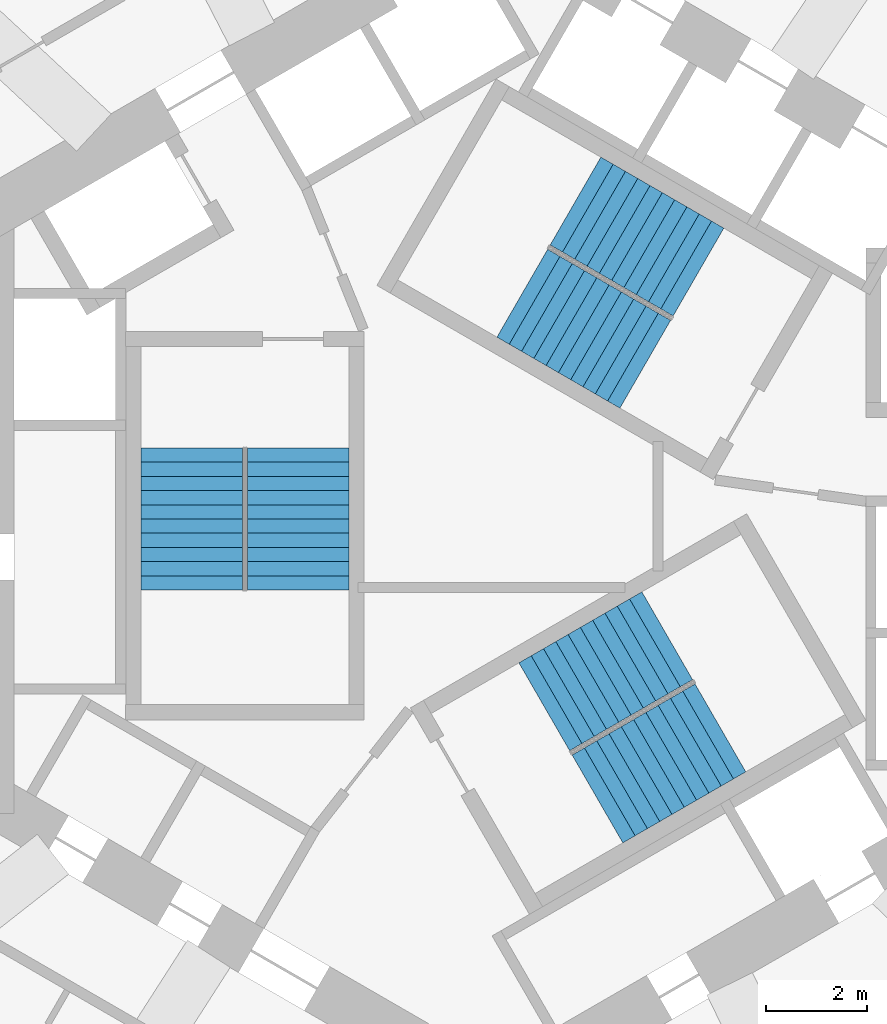
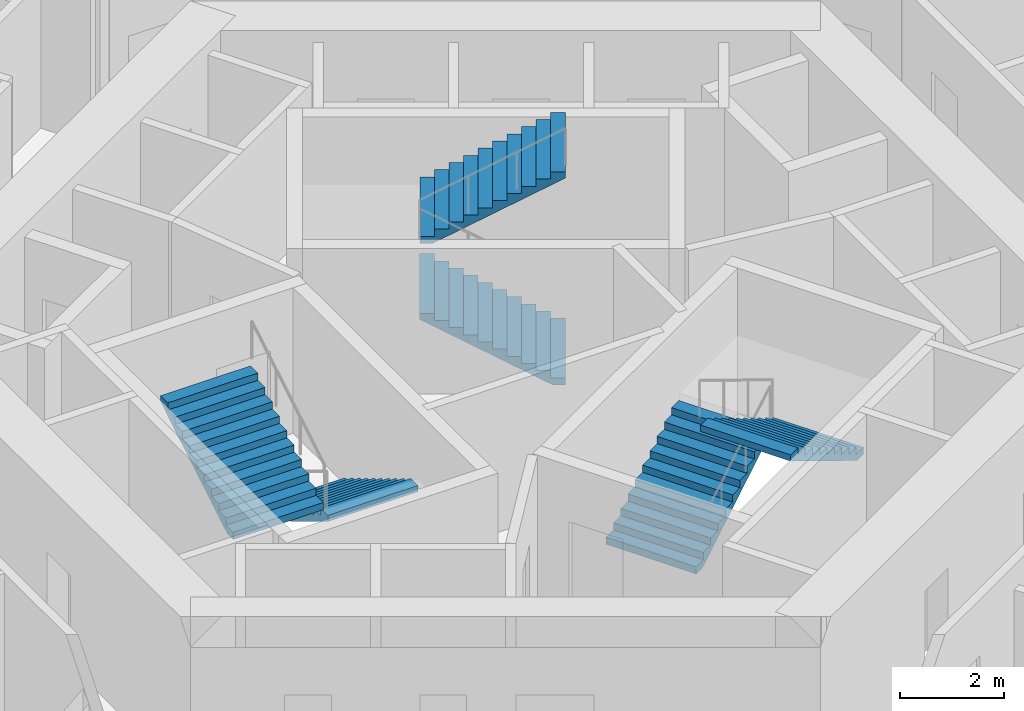
# One storey, part 9 of 11: 6 stair flights, 3 elements without a shape of their own.
"""IFC4 building model written with IfcOpenShell, lengths in metres."""

from ifc_helpers import new_model, si_unit, direction, frame, origin, place, context, subcontext, project, spatial, triangles, source, transform, mapped, material, type_object, element, aggregate, save


model = new_model("IFC4")

# Units and contexts
model_context = context("Model", 3, precision=1e-05, world=origin(), true_north=direction((0.0, 1.0)))
body_context = subcontext(model_context, "Body", "Model", "MODEL_VIEW")
ifc_project = project(units=[si_unit("LENGTHUNIT", "METRE"), si_unit("AREAUNIT", "SQUARE_METRE"), si_unit("VOLUMEUNIT", "CUBIC_METRE"), si_unit("PLANEANGLEUNIT", "RADIAN"), si_unit("MASSUNIT", "GRAM", prefix="KILO")], contexts=[model_context])

# Site, building, storey
site_placement = place(None, origin())
site = spatial("IfcSite", under=ifc_project, at=site_placement, CompositionType="ELEMENT")
building_placement = place(site_placement, origin())
building = spatial("IfcBuilding", under=site, at=building_placement, Name="Vanh Sen Convention Tower", CompositionType="ELEMENT")
storey_placement = place(building_placement, frame((0.0, 0.0, 131.800048828125)))
storey = spatial("IfcBuildingStorey", under=building, at=storey_placement, Name="L32", CompositionType="ELEMENT", Elevation=131.800048828125)

# Stair, stair flights
ifc_material_1 = material(Name="Concrete C50/60", Category="concrete")
stair_type_1 = type_object("IfcStairType", Name="Exit stair ST1 22 risers at 168.2", PredefinedType="HALF_TURN_STAIR", material=ifc_material_1)
stair_1_placement = place(storey_placement, origin())
stair_1 = element("IfcStair", 1, at=stair_1_placement, inside=storey, type_object=stair_type_1, Name="Exit stair ST1 L32", PredefinedType="HALF_TURN_STAIR")
ifc_material_2 = material(Name="Concrete C40/50", Category="concrete")
stair_flight_type = type_object("IfcStairFlightType", Name="Stair flight 2000", PredefinedType="STRAIGHT", material=ifc_material_2)
shared_shape = source(origin(), body_context, "Body", "Tessellation", [
    triangles([(0.24267578125, 1.0, 0.0), (0.0, 1.0, 0.0), (0.0, 1.0, 0.168212890625), (0.280029296875, 1.0, 0.168212890625), (0.280029296875, 1.0, 0.33642578125), (0.56005859375, 1.0, 0.33642578125), (0.56005859375, 1.0, 0.504638671875), (0.840087890625, 1.0, 0.504638671875), (0.840087890625, 1.0, 0.672607421875), (1.1201171875, 1.0, 0.672607421875), (1.1201171875, 1.0, 0.8408203125), (1.39990234375, 1.0, 0.8408203125), (1.39990234375, 1.0, 1.009033203125), (1.679931640625, 1.0, 1.009033203125), (1.679931640625, 1.0, 1.17724609375), (1.9599609375, 1.0, 1.17724609375), (1.9599609375, 1.0, 1.345458984375), (2.239990234375, 1.0, 1.345458984375), (2.239990234375, 1.0, 1.513671875), (2.52001953125, 1.0, 1.513671875), (2.52001953125, 1.0, 1.681884765625), (2.800048828125, 1.0, 1.681884765625), (2.800048828125, 1.0, 1.535888671875), (0.24267578125, -1.0, 0.0), (0.0, -1.0, 0.0), (0.0, -1.0, 0.168212890625), (0.280029296875, -1.0, 0.168212890625), (0.280029296875, -1.0, 0.33642578125), (0.56005859375, -1.0, 0.33642578125), (0.56005859375, -1.0, 0.504638671875), (0.840087890625, -1.0, 0.504638671875), (0.840087890625, -1.0, 0.672607421875), (1.1201171875, -1.0, 0.672607421875), (1.1201171875, -1.0, 0.8408203125), (1.39990234375, -1.0, 0.8408203125), (1.39990234375, -1.0, 1.009033203125), (1.679931640625, -1.0, 1.009033203125), (1.679931640625, -1.0, 1.17724609375), (1.9599609375, -1.0, 1.17724609375), (1.9599609375, -1.0, 1.345458984375), (2.239990234375, -1.0, 1.345458984375), (2.239990234375, -1.0, 1.513671875), (2.52001953125, -1.0, 1.513671875), (2.52001953125, -1.0, 1.681884765625), (2.800048828125, -1.0, 1.681884765625), (2.800048828125, -1.0, 1.535888671875), (0.0, 0.0400390625, 0.0), (0.0, 0.0390625, 0.0), (0.0, 0.0380859375, 0.0), (0.0, 0.037109375, 0.0), (0.0, 0.035888671875, 0.0), (0.0, 0.034912109375, 0.0), (0.0, 0.033935546875, 0.0), (0.0, 0.032958984375, 0.0), (0.0, 0.031982421875, 0.0), (0.0, 0.031005859375, 0.0), (0.0, 0.030029296875, 0.0), (0.0, 0.029052734375, 0.0), (0.0, 0.028076171875, 0.0), (0.0, 0.027099609375, 0.0), (0.0, 0.02587890625, 0.0), (0.0, 0.02490234375, 0.0), (0.0, 0.02392578125, 0.0), (0.0, 0.02294921875, 0.0), (0.0, 0.02197265625, 0.0), (0.0, 0.02099609375, 0.0), (0.0, 0.02001953125, 0.0), (0.0, 0.01904296875, 0.0), (0.0, 0.01806640625, 0.0), (0.0, 0.01708984375, 0.0), (0.0, 0.01611328125, 0.0), (0.0, 0.014892578125, 0.0), (0.0, 0.013916015625, 0.0), (0.0, 0.012939453125, 0.0), (0.0, 0.011962890625, 0.0), (0.0, 0.010986328125, 0.0), (0.0, 0.010009765625, 0.0), (0.0, 0.009033203125, 0.0), (0.0, 0.008056640625, 0.0), (0.0, 0.007080078125, 0.0), (0.0, 0.006103515625, 0.0), (0.0, 0.0048828125, 0.0), (0.0, 0.00390625, 0.0), (0.0, 0.0029296875, 0.0), (0.0, 0.001953125, 0.0), (0.0, 0.0009765625, 0.0), (0.0, 0.0, 0.0), (0.0, -0.0009765625, 0.0), (0.0, -0.001953125, 0.0), (0.0, -0.0029296875, 0.0), (0.0, -0.00390625, 0.0), (0.0, -0.0048828125, 0.0), (0.0, -0.006103515625, 0.0), (0.0, -0.007080078125, 0.0), (0.0, -0.008056640625, 0.0), (0.0, -0.009033203125, 0.0), (0.0, -0.010009765625, 0.0), (0.0, -0.010986328125, 0.0), (0.0, -0.011962890625, 0.0), (0.0, -0.012939453125, 0.0), (0.0, -0.013916015625, 0.0), (0.0, -0.014892578125, 0.0), (0.0, -0.01611328125, 0.0), (0.0, -0.01708984375, 0.0), (0.0, -0.01806640625, 0.0), (0.0, -0.01904296875, 0.0), (0.0, -0.02001953125, 0.0), (0.0, -0.02099609375, 0.0), (0.0, -0.02197265625, 0.0), (0.0, -0.02294921875, 0.0), (0.0, -0.02392578125, 0.0), (0.0, -0.02490234375, 0.0), (0.0, -0.02587890625, 0.0), (0.0, -0.027099609375, 0.0), (0.0, -0.028076171875, 0.0), (0.0, -0.029052734375, 0.0), (0.0, -0.030029296875, 0.0), (0.0, -0.031005859375, 0.0), (0.0, -0.031982421875, 0.0), (0.0, -0.032958984375, 0.0), (0.0, -0.033935546875, 0.0), (0.0, -0.034912109375, 0.0), (0.0, -0.035888671875, 0.0), (0.0, -0.037109375, 0.0), (0.0, -0.0380859375, 0.0), (0.0, -0.0390625, 0.0), (0.0, -0.0400390625, 0.0), (0.0, 0.0400390625, 0.168212890625), (0.0, 0.0390625, 0.168212890625), (0.0, 0.0380859375, 0.168212890625), (0.0, 0.037109375, 0.168212890625), (0.0, 0.035888671875, 0.168212890625), (0.0, 0.034912109375, 0.168212890625), (0.0, 0.033935546875, 0.168212890625), (0.0, 0.032958984375, 0.168212890625), (0.0, 0.031982421875, 0.168212890625), (0.0, 0.031005859375, 0.168212890625), (0.0, 0.030029296875, 0.168212890625), (0.0, 0.029052734375, 0.168212890625), (0.0, 0.028076171875, 0.168212890625), (0.0, 0.027099609375, 0.168212890625), (0.0, 0.02587890625, 0.168212890625), (0.0, 0.02490234375, 0.168212890625), (0.0, 0.02392578125, 0.168212890625), (0.0, 0.02294921875, 0.168212890625), (0.0, 0.02197265625, 0.168212890625), (0.0, 0.02099609375, 0.168212890625), (0.0, 0.02001953125, 0.168212890625), (0.0, 0.01904296875, 0.168212890625), (0.0, 0.01806640625, 0.168212890625), (0.0, 0.01708984375, 0.168212890625), (0.0, 0.01611328125, 0.168212890625), (0.0, 0.014892578125, 0.168212890625), (0.0, 0.013916015625, 0.168212890625), (0.0, 0.012939453125, 0.168212890625), (0.0, 0.011962890625, 0.168212890625), (0.0, 0.010986328125, 0.168212890625), (0.0, 0.010009765625, 0.168212890625), (0.0, 0.009033203125, 0.168212890625), (0.0, 0.008056640625, 0.168212890625), (0.0, 0.007080078125, 0.168212890625), (0.0, 0.006103515625, 0.168212890625), (0.0, 0.0048828125, 0.168212890625), (0.0, 0.00390625, 0.168212890625), (0.0, 0.0029296875, 0.168212890625), (0.0, 0.001953125, 0.168212890625), (0.0, 0.0009765625, 0.168212890625), (0.0, 0.0, 0.168212890625), (0.0, -0.0009765625, 0.168212890625), (0.0, -0.001953125, 0.168212890625), (0.0, -0.0029296875, 0.168212890625), (0.0, -0.00390625, 0.168212890625), (0.0, -0.0048828125, 0.168212890625), (0.0, -0.006103515625, 0.168212890625), (0.0, -0.007080078125, 0.168212890625), (0.0, -0.008056640625, 0.168212890625), (0.0, -0.009033203125, 0.168212890625), (0.0, -0.010009765625, 0.168212890625), (0.0, -0.010986328125, 0.168212890625), (0.0, -0.011962890625, 0.168212890625), (0.0, -0.012939453125, 0.168212890625), (0.0, -0.013916015625, 0.168212890625), (0.0, -0.014892578125, 0.168212890625), (0.0, -0.01611328125, 0.168212890625), (0.0, -0.01708984375, 0.168212890625), (0.0, -0.01806640625, 0.168212890625), (0.0, -0.01904296875, 0.168212890625), (0.0, -0.02001953125, 0.168212890625), (0.0, -0.02099609375, 0.168212890625), (0.0, -0.02197265625, 0.168212890625), (0.0, -0.02294921875, 0.168212890625), (0.0, -0.02392578125, 0.168212890625), (0.0, -0.02490234375, 0.168212890625), (0.0, -0.02587890625, 0.168212890625), (0.0, -0.027099609375, 0.168212890625), (0.0, -0.028076171875, 0.168212890625), (0.0, -0.029052734375, 0.168212890625), (0.0, -0.030029296875, 0.168212890625), (0.0, -0.031005859375, 0.168212890625), (0.0, -0.031982421875, 0.168212890625), (0.0, -0.032958984375, 0.168212890625), (0.0, -0.033935546875, 0.168212890625), (0.0, -0.034912109375, 0.168212890625), (0.0, -0.035888671875, 0.168212890625), (0.0, -0.037109375, 0.168212890625), (0.0, -0.0380859375, 0.168212890625), (0.0, -0.0390625, 0.168212890625), (0.0, -0.0400390625, 0.168212890625), (0.280029296875, 0.0, 0.168212890625), (0.280029296875, 0.0, 0.33642578125), (0.56005859375, 0.0, 0.33642578125), (0.56005859375, 0.0, 0.504638671875), (0.840087890625, 0.0, 0.504638671875), (0.840087890625, 0.0, 0.672607421875), (1.1201171875, 0.0, 0.672607421875), (1.1201171875, 0.0, 0.8408203125), (1.39990234375, 0.0, 0.8408203125), (1.39990234375, 0.0, 1.009033203125), (1.679931640625, 0.0, 1.009033203125), (1.679931640625, 0.0, 1.17724609375), (1.9599609375, 0.0, 1.17724609375), (1.9599609375, 0.0, 1.345458984375), (2.239990234375, 0.0, 1.345458984375), (2.239990234375, 0.0, 1.513671875), (2.52001953125, 0.0, 1.513671875), (2.52001953125, 0.0, 1.681884765625), (2.800048828125, 0.0400390625, 1.681884765625), (2.800048828125, 0.0390625, 1.681884765625), (2.800048828125, 0.0380859375, 1.681884765625), (2.800048828125, 0.037109375, 1.681884765625), (2.800048828125, 0.035888671875, 1.681884765625), (2.800048828125, 0.034912109375, 1.681884765625), (2.800048828125, 0.033935546875, 1.681884765625), (2.800048828125, 0.032958984375, 1.681884765625), (2.800048828125, 0.031982421875, 1.681884765625), (2.800048828125, 0.031005859375, 1.681884765625), (2.800048828125, 0.030029296875, 1.681884765625), (2.800048828125, 0.029052734375, 1.681884765625), (2.800048828125, 0.028076171875, 1.681884765625), (2.800048828125, 0.027099609375, 1.681884765625), (2.800048828125, 0.02587890625, 1.681884765625), (2.800048828125, 0.02490234375, 1.681884765625), (2.800048828125, 0.02392578125, 1.681884765625), (2.800048828125, 0.02294921875, 1.681884765625), (2.800048828125, 0.02197265625, 1.681884765625), (2.800048828125, 0.02099609375, 1.681884765625), (2.800048828125, 0.02001953125, 1.681884765625), (2.800048828125, 0.01904296875, 1.681884765625), (2.800048828125, 0.01806640625, 1.681884765625), (2.800048828125, 0.01708984375, 1.681884765625), (2.800048828125, 0.01611328125, 1.681884765625), (2.800048828125, 0.014892578125, 1.681884765625), (2.800048828125, 0.013916015625, 1.681884765625), (2.800048828125, 0.012939453125, 1.681884765625), (2.800048828125, 0.011962890625, 1.681884765625), (2.800048828125, 0.010986328125, 1.681884765625), (2.800048828125, 0.010009765625, 1.681884765625), (2.800048828125, 0.009033203125, 1.681884765625), (2.800048828125, 0.008056640625, 1.681884765625), (2.800048828125, 0.007080078125, 1.681884765625), (2.800048828125, 0.006103515625, 1.681884765625), (2.800048828125, 0.0048828125, 1.681884765625), (2.800048828125, 0.00390625, 1.681884765625), (2.800048828125, 0.0029296875, 1.681884765625), (2.800048828125, 0.001953125, 1.681884765625), (2.800048828125, 0.0009765625, 1.681884765625), (2.800048828125, 0.0, 1.681884765625), (2.800048828125, -0.0009765625, 1.681884765625), (2.800048828125, -0.001953125, 1.681884765625), (2.800048828125, -0.0029296875, 1.681884765625), (2.800048828125, -0.00390625, 1.681884765625), (2.800048828125, -0.0048828125, 1.681884765625), (2.800048828125, -0.006103515625, 1.681884765625), (2.800048828125, -0.007080078125, 1.681884765625), (2.800048828125, -0.008056640625, 1.681884765625), (2.800048828125, -0.009033203125, 1.681884765625), (2.800048828125, -0.010009765625, 1.681884765625), (2.800048828125, -0.010986328125, 1.681884765625), (2.800048828125, -0.011962890625, 1.681884765625), (2.800048828125, -0.012939453125, 1.681884765625), (2.800048828125, -0.013916015625, 1.681884765625), (2.800048828125, -0.014892578125, 1.681884765625), (2.800048828125, -0.01611328125, 1.681884765625), (2.800048828125, -0.01708984375, 1.681884765625), (2.800048828125, -0.01806640625, 1.681884765625), (2.800048828125, -0.01904296875, 1.681884765625), (2.800048828125, -0.02001953125, 1.681884765625), (2.800048828125, -0.02099609375, 1.681884765625), (2.800048828125, -0.02197265625, 1.681884765625), (2.800048828125, -0.02294921875, 1.681884765625), (2.800048828125, -0.02392578125, 1.681884765625), (2.800048828125, -0.02490234375, 1.681884765625), (2.800048828125, -0.02587890625, 1.681884765625), (2.800048828125, -0.027099609375, 1.681884765625), (2.800048828125, -0.028076171875, 1.681884765625), (2.800048828125, -0.029052734375, 1.681884765625), (2.800048828125, -0.030029296875, 1.681884765625), (2.800048828125, -0.031005859375, 1.681884765625), (2.800048828125, -0.031982421875, 1.681884765625), (2.800048828125, -0.032958984375, 1.681884765625), (2.800048828125, -0.033935546875, 1.681884765625), (2.800048828125, -0.034912109375, 1.681884765625), (2.800048828125, -0.035888671875, 1.681884765625), (2.800048828125, -0.037109375, 1.681884765625), (2.800048828125, -0.0380859375, 1.681884765625), (2.800048828125, -0.0390625, 1.681884765625), (2.800048828125, -0.0400390625, 1.681884765625), (2.800048828125, 0.0400390625, 1.535888671875), (2.800048828125, 0.0390625, 1.535888671875), (2.800048828125, 0.0380859375, 1.535888671875), (2.800048828125, 0.037109375, 1.535888671875), (2.800048828125, 0.035888671875, 1.535888671875), (2.800048828125, 0.034912109375, 1.535888671875), (2.800048828125, 0.033935546875, 1.535888671875), (2.800048828125, 0.032958984375, 1.535888671875), (2.800048828125, 0.031982421875, 1.535888671875), (2.800048828125, 0.031005859375, 1.535888671875), (2.800048828125, 0.030029296875, 1.535888671875), (2.800048828125, 0.029052734375, 1.535888671875), (2.800048828125, 0.028076171875, 1.535888671875), (2.800048828125, 0.027099609375, 1.535888671875), (2.800048828125, 0.02587890625, 1.535888671875), (2.800048828125, 0.02490234375, 1.535888671875), (2.800048828125, 0.02392578125, 1.535888671875), (2.800048828125, 0.02294921875, 1.535888671875), (2.800048828125, 0.02197265625, 1.535888671875), (2.800048828125, 0.02099609375, 1.535888671875), (2.800048828125, 0.02001953125, 1.535888671875), (2.800048828125, 0.01904296875, 1.535888671875), (2.800048828125, 0.01806640625, 1.535888671875), (2.800048828125, 0.01708984375, 1.535888671875), (2.800048828125, 0.01611328125, 1.535888671875), (2.800048828125, 0.014892578125, 1.535888671875), (2.800048828125, 0.013916015625, 1.535888671875), (2.800048828125, 0.012939453125, 1.535888671875), (2.800048828125, 0.011962890625, 1.535888671875), (2.800048828125, 0.010986328125, 1.535888671875), (2.800048828125, 0.010009765625, 1.535888671875), (2.800048828125, 0.009033203125, 1.535888671875), (2.800048828125, 0.008056640625, 1.535888671875), (2.800048828125, 0.007080078125, 1.535888671875), (2.800048828125, 0.006103515625, 1.535888671875), (2.800048828125, 0.0048828125, 1.535888671875), (2.800048828125, 0.00390625, 1.535888671875), (2.800048828125, 0.0029296875, 1.535888671875), (2.800048828125, 0.001953125, 1.535888671875), (2.800048828125, 0.0009765625, 1.535888671875), (2.800048828125, 0.0, 1.535888671875), (2.800048828125, -0.0009765625, 1.535888671875), (2.800048828125, -0.001953125, 1.535888671875), (2.800048828125, -0.0029296875, 1.535888671875), (2.800048828125, -0.00390625, 1.535888671875), (2.800048828125, -0.0048828125, 1.535888671875), (2.800048828125, -0.006103515625, 1.535888671875), (2.800048828125, -0.007080078125, 1.535888671875), (2.800048828125, -0.008056640625, 1.535888671875), (2.800048828125, -0.009033203125, 1.535888671875), (2.800048828125, -0.010009765625, 1.535888671875), (2.800048828125, -0.010986328125, 1.535888671875), (2.800048828125, -0.011962890625, 1.535888671875), (2.800048828125, -0.012939453125, 1.535888671875), (2.800048828125, -0.013916015625, 1.535888671875), (2.800048828125, -0.014892578125, 1.535888671875), (2.800048828125, -0.01611328125, 1.535888671875), (2.800048828125, -0.01708984375, 1.535888671875), (2.800048828125, -0.01806640625, 1.535888671875), (2.800048828125, -0.01904296875, 1.535888671875), (2.800048828125, -0.02001953125, 1.535888671875), (2.800048828125, -0.02099609375, 1.535888671875), (2.800048828125, -0.02197265625, 1.535888671875), (2.800048828125, -0.02294921875, 1.535888671875), (2.800048828125, -0.02392578125, 1.535888671875), (2.800048828125, -0.02490234375, 1.535888671875), (2.800048828125, -0.02587890625, 1.535888671875), (2.800048828125, -0.027099609375, 1.535888671875), (2.800048828125, -0.028076171875, 1.535888671875), (2.800048828125, -0.029052734375, 1.535888671875), (2.800048828125, -0.030029296875, 1.535888671875), (2.800048828125, -0.031005859375, 1.535888671875), (2.800048828125, -0.031982421875, 1.535888671875), (2.800048828125, -0.032958984375, 1.535888671875), (2.800048828125, -0.033935546875, 1.535888671875), (2.800048828125, -0.034912109375, 1.535888671875), (2.800048828125, -0.035888671875, 1.535888671875), (2.800048828125, -0.037109375, 1.535888671875), (2.800048828125, -0.0380859375, 1.535888671875), (2.800048828125, -0.0390625, 1.535888671875), (2.800048828125, -0.0400390625, 1.535888671875), (0.24267578125, 0.0, 0.0)], [[1, 2, 3], [1, 3, 4], [4, 5, 6], [1, 4, 6], [6, 7, 8], [1, 6, 8], [8, 9, 10], [1, 8, 10], [10, 11, 12], [1, 10, 12], [12, 13, 14], [1, 12, 14], [14, 15, 16], [1, 14, 16], [16, 17, 18], [1, 16, 18], [18, 19, 20], [1, 18, 20], [20, 21, 22], [1, 20, 22], [22, 23, 1], [24, 26, 25], [24, 27, 26], [27, 29, 28], [24, 29, 27], [29, 31, 30], [24, 31, 29], [31, 33, 32], [24, 33, 31], [33, 35, 34], [24, 35, 33], [35, 37, 36], [24, 37, 35], [37, 39, 38], [24, 39, 37], [39, 41, 40], [24, 41, 39], [41, 43, 42], [24, 43, 41], [43, 45, 44], [24, 45, 43], [45, 24, 46], [2, 128, 3], [2, 47, 128], [47, 129, 128], [47, 48, 129], [48, 130, 129], [48, 49, 130], [49, 131, 130], [49, 50, 131], [50, 132, 131], [50, 51, 132], [51, 133, 132], [51, 52, 133], [52, 134, 133], [52, 53, 134], [53, 135, 134], [53, 54, 135], [54, 136, 135], [54, 55, 136], [55, 137, 136], [55, 56, 137], [56, 138, 137], [56, 57, 138], [57, 139, 138], [57, 58, 139], [58, 140, 139], [58, 59, 140], [59, 141, 140], [59, 60, 141], [60, 142, 141], [60, 61, 142], [61, 143, 142], [61, 62, 143], [62, 144, 143], [62, 63, 144], [63, 145, 144], [63, 64, 145], [64, 146, 145], [64, 65, 146], [65, 147, 146], [65, 66, 147], [66, 148, 147], [66, 67, 148], [67, 149, 148], [67, 68, 149], [68, 150, 149], [68, 69, 150], [69, 151, 150], [69, 70, 151], [70, 152, 151], [70, 71, 152], [71, 153, 152], [71, 72, 153], [72, 154, 153], [72, 73, 154], [73, 155, 154], [73, 74, 155], [74, 156, 155], [74, 75, 156], [75, 157, 156], [75, 76, 157], [76, 158, 157], [76, 77, 158], [77, 159, 158], [77, 78, 159], [78, 160, 159], [78, 79, 160], [79, 161, 160], [79, 80, 161], [80, 162, 161], [80, 81, 162], [81, 163, 162], [81, 82, 163], [82, 164, 163], [82, 83, 164], [83, 165, 164], [83, 84, 165], [84, 166, 165], [84, 85, 166], [85, 167, 166], [85, 86, 167], [86, 168, 167], [86, 87, 168], [87, 88, 168], [168, 88, 169], [88, 89, 169], [169, 89, 170], [89, 90, 170], [170, 90, 171], [90, 91, 171], [171, 91, 172], [91, 92, 172], [172, 92, 173], [92, 93, 173], [173, 93, 174], [93, 94, 174], [174, 94, 175], [94, 95, 175], [175, 95, 176], [95, 96, 176], [176, 96, 177], [96, 97, 177], [177, 97, 178], [97, 98, 178], [178, 98, 179], [98, 99, 179], [179, 99, 180], [99, 100, 180], [180, 100, 181], [100, 101, 181], [181, 101, 182], [101, 102, 182], [182, 102, 183], [102, 103, 183], [183, 103, 184], [103, 104, 184], [184, 104, 185], [104, 105, 185], [185, 105, 186], [105, 106, 186], [186, 106, 187], [106, 107, 187], [187, 107, 188], [107, 108, 188], [188, 108, 189], [108, 109, 189], [189, 109, 190], [109, 110, 190], [190, 110, 191], [110, 111, 191], [191, 111, 192], [111, 112, 192], [192, 112, 193], [112, 113, 193], [193, 113, 194], [113, 114, 194], [194, 114, 195], [114, 115, 195], [195, 115, 196], [115, 116, 196], [196, 116, 197], [116, 117, 197], [197, 117, 198], [117, 118, 198], [198, 118, 199], [118, 119, 199], [199, 119, 200], [119, 120, 200], [200, 120, 201], [120, 121, 201], [201, 121, 202], [121, 122, 202], [202, 122, 203], [122, 123, 203], [203, 123, 204], [123, 124, 204], [204, 124, 205], [124, 125, 205], [205, 125, 206], [125, 126, 206], [206, 126, 207], [126, 127, 207], [207, 127, 208], [127, 25, 208], [208, 25, 26], [4, 3, 128], [4, 128, 129], [4, 129, 130], [4, 130, 131], [4, 131, 132], [4, 132, 133], [4, 133, 134], [4, 134, 135], [4, 135, 136], [4, 136, 137], [4, 137, 138], [4, 138, 139], [4, 139, 140], [4, 140, 141], [4, 141, 142], [4, 142, 143], [4, 143, 144], [4, 144, 145], [4, 145, 146], [4, 146, 147], [4, 147, 148], [4, 148, 149], [4, 149, 150], [4, 150, 151], [4, 151, 152], [4, 152, 153], [4, 153, 154], [4, 154, 155], [4, 155, 156], [4, 156, 157], [4, 157, 158], [4, 158, 159], [4, 159, 160], [4, 160, 161], [4, 161, 162], [4, 162, 163], [4, 163, 164], [4, 164, 165], [4, 165, 166], [4, 166, 167], [4, 167, 168], [27, 168, 169], [27, 169, 170], [27, 170, 171], [27, 171, 172], [27, 172, 173], [27, 173, 174], [27, 174, 175], [27, 175, 176], [27, 176, 177], [27, 177, 178], [27, 178, 179], [27, 179, 180], [27, 180, 181], [27, 181, 182], [27, 182, 183], [27, 183, 184], [27, 184, 185], [27, 185, 186], [27, 186, 187], [27, 187, 188], [27, 188, 189], [27, 189, 190], [27, 190, 191], [27, 191, 192], [27, 192, 193], [27, 193, 194], [27, 194, 195], [27, 195, 196], [27, 196, 197], [27, 197, 198], [27, 198, 199], [27, 199, 200], [27, 200, 201], [27, 201, 202], [27, 202, 203], [27, 203, 204], [27, 204, 205], [27, 205, 206], [27, 206, 207], [27, 207, 208], [27, 208, 26], [4, 168, 209], [27, 209, 168], [4, 210, 5], [4, 209, 210], [209, 27, 210], [210, 27, 28], [5, 211, 6], [5, 210, 211], [210, 28, 211], [211, 28, 29], [6, 212, 7], [6, 211, 212], [211, 29, 212], [212, 29, 30], [7, 213, 8], [7, 212, 213], [212, 30, 213], [213, 30, 31], [8, 214, 9], [8, 213, 214], [213, 31, 214], [214, 31, 32], [9, 215, 10], [9, 214, 215], [214, 32, 215], [215, 32, 33], [10, 216, 11], [10, 215, 216], [215, 33, 216], [216, 33, 34], [11, 217, 12], [11, 216, 217], [216, 34, 217], [217, 34, 35], [12, 218, 13], [12, 217, 218], [217, 35, 218], [218, 35, 36], [13, 219, 14], [13, 218, 219], [218, 36, 219], [219, 36, 37], [14, 220, 15], [14, 219, 220], [219, 37, 220], [220, 37, 38], [15, 221, 16], [15, 220, 221], [220, 38, 221], [221, 38, 39], [16, 222, 17], [16, 221, 222], [221, 39, 222], [222, 39, 40], [17, 223, 18], [17, 222, 223], [222, 40, 223], [223, 40, 41], [18, 224, 19], [18, 223, 224], [223, 41, 224], [224, 41, 42], [19, 225, 20], [19, 224, 225], [224, 42, 225], [225, 42, 43], [20, 226, 21], [20, 225, 226], [225, 43, 226], [226, 43, 44], [21, 227, 22], [21, 228, 227], [21, 229, 228], [21, 230, 229], [21, 231, 230], [21, 232, 231], [21, 233, 232], [21, 234, 233], [21, 235, 234], [21, 236, 235], [21, 237, 236], [21, 238, 237], [21, 239, 238], [21, 240, 239], [21, 241, 240], [21, 242, 241], [21, 243, 242], [21, 244, 243], [21, 245, 244], [21, 246, 245], [21, 247, 246], [21, 248, 247], [21, 249, 248], [21, 250, 249], [21, 251, 250], [21, 252, 251], [21, 253, 252], [21, 254, 253], [21, 255, 254], [21, 256, 255], [21, 257, 256], [21, 258, 257], [21, 259, 258], [21, 260, 259], [21, 261, 260], [21, 262, 261], [21, 263, 262], [21, 264, 263], [21, 265, 264], [21, 266, 265], [21, 267, 266], [44, 268, 267], [44, 269, 268], [44, 270, 269], [44, 271, 270], [44, 272, 271], [44, 273, 272], [44, 274, 273], [44, 275, 274], [44, 276, 275], [44, 277, 276], [44, 278, 277], [44, 279, 278], [44, 280, 279], [44, 281, 280], [44, 282, 281], [44, 283, 282], [44, 284, 283], [44, 285, 284], [44, 286, 285], [44, 287, 286], [44, 288, 287], [44, 289, 288], [44, 290, 289], [44, 291, 290], [44, 292, 291], [44, 293, 292], [44, 294, 293], [44, 295, 294], [44, 296, 295], [44, 297, 296], [44, 298, 297], [44, 299, 298], [44, 300, 299], [44, 301, 300], [44, 302, 301], [44, 303, 302], [44, 304, 303], [44, 305, 304], [44, 306, 305], [44, 307, 306], [44, 45, 307], [21, 226, 267], [44, 267, 226], [22, 308, 23], [22, 227, 308], [227, 309, 308], [227, 228, 309], [228, 310, 309], [228, 229, 310], [229, 311, 310], [229, 230, 311], [230, 312, 311], [230, 231, 312], [231, 313, 312], [231, 232, 313], [232, 314, 313], [232, 233, 314], [233, 315, 314], [233, 234, 315], [234, 316, 315], [234, 235, 316], [235, 317, 316], [235, 236, 317], [236, 318, 317], [236, 237, 318], [237, 319, 318], [237, 238, 319], [238, 320, 319], [238, 239, 320], [239, 321, 320], [239, 240, 321], [240, 322, 321], [240, 241, 322], [241, 323, 322], [241, 242, 323], [242, 324, 323], [242, 243, 324], [243, 325, 324], [243, 244, 325], [244, 326, 325], [244, 245, 326], [245, 327, 326], [245, 246, 327], [246, 328, 327], [246, 247, 328], [247, 329, 328], [247, 248, 329], [248, 330, 329], [248, 249, 330], [249, 331, 330], [249, 250, 331], [250, 332, 331], [250, 251, 332], [251, 333, 332], [251, 252, 333], [252, 334, 333], [252, 253, 334], [253, 335, 334], [253, 254, 335], [254, 336, 335], [254, 255, 336], [255, 337, 336], [255, 256, 337], [256, 338, 337], [256, 257, 338], [257, 339, 338], [257, 258, 339], [258, 340, 339], [258, 259, 340], [259, 341, 340], [259, 260, 341], [260, 342, 341], [260, 261, 342], [261, 343, 342], [261, 262, 343], [262, 344, 343], [262, 263, 344], [263, 345, 344], [263, 264, 345], [264, 346, 345], [264, 265, 346], [265, 347, 346], [265, 266, 347], [266, 348, 347], [266, 267, 348], [267, 268, 348], [348, 268, 349], [268, 269, 349], [349, 269, 350], [269, 270, 350], [350, 270, 351], [270, 271, 351], [351, 271, 352], [271, 272, 352], [352, 272, 353], [272, 273, 353], [353, 273, 354], [273, 274, 354], [354, 274, 355], [274, 275, 355], [355, 275, 356], [275, 276, 356], [356, 276, 357], [276, 277, 357], [357, 277, 358], [277, 278, 358], [358, 278, 359], [278, 279, 359], [359, 279, 360], [279, 280, 360], [360, 280, 361], [280, 281, 361], [361, 281, 362], [281, 282, 362], [362, 282, 363], [282, 283, 363], [363, 283, 364], [283, 284, 364], [364, 284, 365], [284, 285, 365], [365, 285, 366], [285, 286, 366], [366, 286, 367], [286, 287, 367], [367, 287, 368], [287, 288, 368], [368, 288, 369], [288, 289, 369], [369, 289, 370], [289, 290, 370], [370, 290, 371], [290, 291, 371], [371, 291, 372], [291, 292, 372], [372, 292, 373], [292, 293, 373], [373, 293, 374], [293, 294, 374], [374, 294, 375], [294, 295, 375], [375, 295, 376], [295, 296, 376], [376, 296, 377], [296, 297, 377], [377, 297, 378], [297, 298, 378], [378, 298, 379], [298, 299, 379], [379, 299, 380], [299, 300, 380], [380, 300, 381], [300, 301, 381], [381, 301, 382], [301, 302, 382], [382, 302, 383], [302, 303, 383], [383, 303, 384], [303, 304, 384], [384, 304, 385], [304, 305, 385], [385, 305, 386], [305, 306, 386], [386, 306, 387], [306, 307, 387], [387, 307, 388], [307, 45, 388], [388, 45, 46], [1, 23, 308], [1, 308, 309], [1, 309, 310], [1, 310, 311], [1, 311, 312], [1, 312, 313], [1, 313, 314], [1, 314, 315], [1, 315, 316], [1, 316, 317], [1, 317, 318], [1, 318, 319], [1, 319, 320], [1, 320, 321], [1, 321, 322], [1, 322, 323], [1, 323, 324], [1, 324, 325], [1, 325, 326], [1, 326, 327], [1, 327, 328], [1, 328, 329], [1, 329, 330], [1, 330, 331], [1, 331, 332], [1, 332, 333], [1, 333, 334], [1, 334, 335], [1, 335, 336], [1, 336, 337], [1, 337, 338], [1, 338, 339], [1, 339, 340], [1, 340, 341], [1, 341, 342], [1, 342, 343], [1, 343, 344], [1, 344, 345], [1, 345, 346], [1, 346, 347], [1, 347, 348], [24, 348, 349], [24, 349, 350], [24, 350, 351], [24, 351, 352], [24, 352, 353], [24, 353, 354], [24, 354, 355], [24, 355, 356], [24, 356, 357], [24, 357, 358], [24, 358, 359], [24, 359, 360], [24, 360, 361], [24, 361, 362], [24, 362, 363], [24, 363, 364], [24, 364, 365], [24, 365, 366], [24, 366, 367], [24, 367, 368], [24, 368, 369], [24, 369, 370], [24, 370, 371], [24, 371, 372], [24, 372, 373], [24, 373, 374], [24, 374, 375], [24, 375, 376], [24, 376, 377], [24, 377, 378], [24, 378, 379], [24, 379, 380], [24, 380, 381], [24, 381, 382], [24, 382, 383], [24, 383, 384], [24, 384, 385], [24, 385, 386], [24, 386, 387], [24, 387, 388], [24, 388, 46], [1, 348, 389], [24, 389, 348], [1, 47, 2], [1, 48, 47], [1, 49, 48], [1, 50, 49], [1, 51, 50], [1, 52, 51], [1, 53, 52], [1, 54, 53], [1, 55, 54], [1, 56, 55], [1, 57, 56], [1, 58, 57], [1, 59, 58], [1, 60, 59], [1, 61, 60], [1, 62, 61], [1, 63, 62], [1, 64, 63], [1, 65, 64], [1, 66, 65], [1, 67, 66], [1, 68, 67], [1, 69, 68], [1, 70, 69], [1, 71, 70], [1, 72, 71], [1, 73, 72], [1, 74, 73], [1, 75, 74], [1, 76, 75], [1, 77, 76], [1, 78, 77], [1, 79, 78], [1, 80, 79], [1, 81, 80], [1, 82, 81], [1, 83, 82], [1, 84, 83], [1, 85, 84], [1, 86, 85], [1, 87, 86], [24, 88, 87], [24, 89, 88], [24, 90, 89], [24, 91, 90], [24, 92, 91], [24, 93, 92], [24, 94, 93], [24, 95, 94], [24, 96, 95], [24, 97, 96], [24, 98, 97], [24, 99, 98], [24, 100, 99], [24, 101, 100], [24, 102, 101], [24, 103, 102], [24, 104, 103], [24, 105, 104], [24, 106, 105], [24, 107, 106], [24, 108, 107], [24, 109, 108], [24, 110, 109], [24, 111, 110], [24, 112, 111], [24, 113, 112], [24, 114, 113], [24, 115, 114], [24, 116, 115], [24, 117, 116], [24, 118, 117], [24, 119, 118], [24, 120, 119], [24, 121, 120], [24, 122, 121], [24, 123, 122], [24, 124, 123], [24, 125, 124], [24, 126, 125], [24, 127, 126], [24, 25, 127], [1, 389, 87], [24, 87, 389]], closed=True),
])
stair_flight_1_placement = place(storey_placement, frame((2.94580078125, 2.802490234375, 0.0), z_axis=(0.0, 0.0, 1.0), x_axis=(-0.866025403784, 0.5, 0.0)))
stair_flight_1 = element("IfcStairFlight", 2, at=stair_flight_1_placement, type_object=stair_flight_type, Name="ST1 flight 1", NumberOfRisers=11, NumberOfTreads=10, PredefinedType="STRAIGHT", RiserHeight=0.168181818, TreadLength=0.28, context=body_context, shape_type="MappedRepresentation", body=[
    mapped(shared_shape, transform((0.0, 0.0, 0.0))),
])
stair_flight_2_placement = place(storey_placement, frame((1.571044921875, 6.021240234375, 1.849853515625), z_axis=(0.0, 0.0, 1.0), x_axis=(0.866025403784, -0.5, 0.0)))
stair_flight_2 = element("IfcStairFlight", 3, at=stair_flight_2_placement, type_object=stair_flight_type, Name="ST1 flight 2", NumberOfRisers=11, NumberOfTreads=10, PredefinedType="STRAIGHT", RiserHeight=0.168181818, TreadLength=0.28, context=body_context, shape_type="MappedRepresentation", body=[
    mapped(shared_shape, transform((0.0, 0.0, 0.0))),
])
aggregate(stair_1, [stair_flight_1, stair_flight_2])

stair_type_2 = type_object("IfcStairType", Name="Exit stair ST2 22 risers at 168.2", PredefinedType="HALF_TURN_STAIR", material=ifc_material_1)
stair_2_placement = place(storey_placement, origin())
stair_2 = element("IfcStair", 4, at=stair_2_placement, inside=storey, type_object=stair_type_2, Name="Exit stair ST2 L32", PredefinedType="HALF_TURN_STAIR")
stair_flight_3_placement = place(storey_placement, frame((-3.89990234375, 1.14990234375, 0.0), z_axis=(0.0, 0.0, 1.0), x_axis=(0.0, -1.0, 0.0)))
stair_flight_3 = element("IfcStairFlight", 5, at=stair_flight_3_placement, type_object=stair_flight_type, Name="ST2 flight 1", NumberOfRisers=11, NumberOfTreads=10, PredefinedType="STRAIGHT", RiserHeight=0.168181818, TreadLength=0.28, context=body_context, shape_type="MappedRepresentation", body=[
    mapped(shared_shape, transform((0.0, 0.0, 0.0))),
])
stair_flight_4_placement = place(storey_placement, frame((-6.0, -1.64990234375, 1.849853515625), z_axis=(0.0, 0.0, 1.0), x_axis=(0.0, 1.0, 0.0)))
stair_flight_4 = element("IfcStairFlight", 6, at=stair_flight_4_placement, type_object=stair_flight_type, Name="ST2 flight 2", NumberOfRisers=11, NumberOfTreads=10, PredefinedType="STRAIGHT", RiserHeight=0.168181818, TreadLength=0.28, context=body_context, shape_type="MappedRepresentation", body=[
    mapped(shared_shape, transform((0.0, 0.0, 0.0))),
])
aggregate(stair_2, [stair_flight_3, stair_flight_4])

stair_type_3 = type_object("IfcStairType", Name="Exit stair ST3 22 risers at 168.2", PredefinedType="HALF_TURN_STAIR", material=ifc_material_1)
stair_3_placement = place(storey_placement, origin())
stair_3 = element("IfcStair", 7, at=stair_3_placement, inside=storey, type_object=stair_type_3, Name="Exit stair ST3 L32", PredefinedType="HALF_TURN_STAIR")
stair_flight_5_placement = place(storey_placement, frame((0.9541015625, -3.952392578125, 0.0), z_axis=(0.0, 0.0, 1.0), x_axis=(0.866025403784, 0.5, 0.0)))
stair_flight_5 = element("IfcStairFlight", 8, at=stair_flight_5_placement, type_object=stair_flight_type, Name="ST3 flight 1", NumberOfRisers=11, NumberOfTreads=10, PredefinedType="STRAIGHT", RiserHeight=0.168181818, TreadLength=0.28, context=body_context, shape_type="MappedRepresentation", body=[
    mapped(shared_shape, transform((0.0, 0.0, 0.0))),
])
stair_flight_6_placement = place(storey_placement, frame((4.428955078125, -4.37109375, 1.849853515625), z_axis=(0.0, 0.0, 1.0), x_axis=(-0.866025403784, -0.5, 0.0)))
stair_flight_6 = element("IfcStairFlight", 9, at=stair_flight_6_placement, type_object=stair_flight_type, Name="ST3 flight 2", NumberOfRisers=11, NumberOfTreads=10, PredefinedType="STRAIGHT", RiserHeight=0.168181818, TreadLength=0.28, context=body_context, shape_type="MappedRepresentation", body=[
    mapped(shared_shape, transform((0.0, 0.0, 0.0))),
])
aggregate(stair_3, [stair_flight_5, stair_flight_6])

save(model, "model.ifc")
